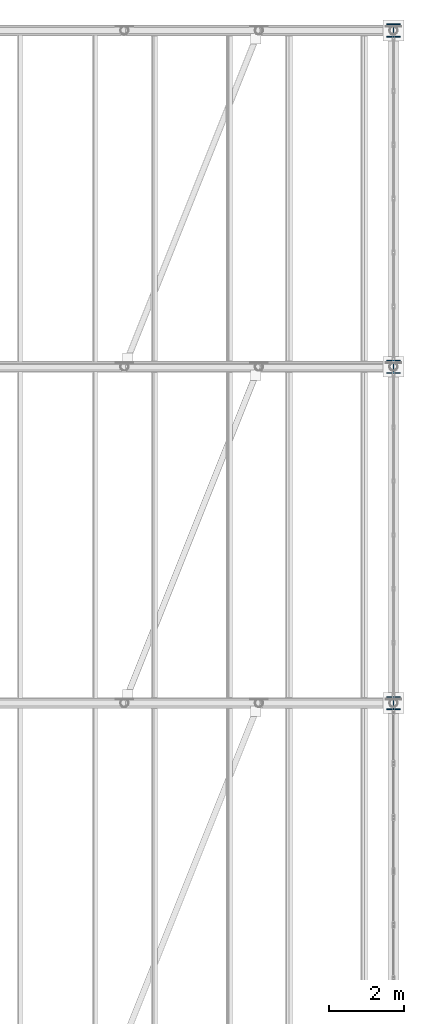
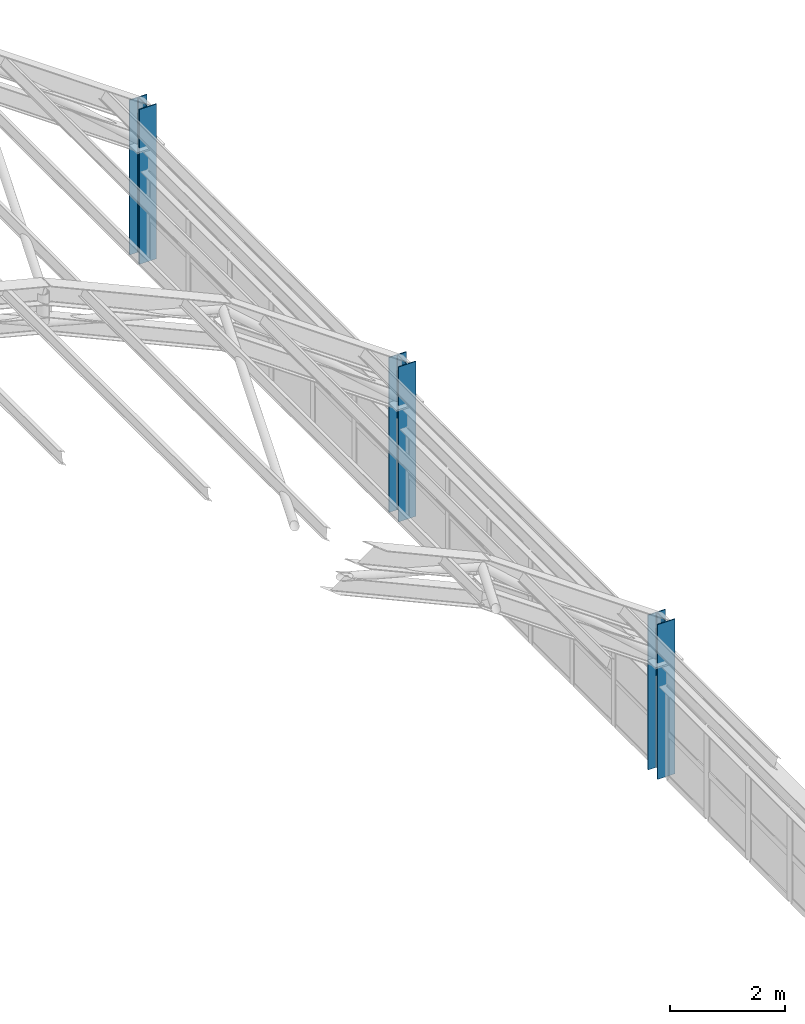
# One storey, part 6 of 121: 3 columns.
"""IFC4 building model written with IfcOpenShell, lengths in metres."""

from ifc_helpers import new_model, si_unit, direction, frame, origin, origin_2d, place, context, subcontext, project, spatial, i_section, extrude, material, material_profile, profile_set, type_object, element, save


model = new_model("IFC4")

# Units and contexts
model_context = context("Model", 3, precision=1e-05, world=origin(), true_north=direction((0.0, 1.0)))
body_context = subcontext(model_context, "Body", "Model", "MODEL_VIEW")
ifc_project = project(units=[si_unit("LENGTHUNIT", "METRE"), si_unit("AREAUNIT", "SQUARE_METRE"), si_unit("VOLUMEUNIT", "CUBIC_METRE"), si_unit("PLANEANGLEUNIT", "RADIAN"), si_unit("MASSUNIT", "GRAM", prefix="KILO")], contexts=[model_context])

# Site, building, storey
site_placement = place(None, origin())
site = spatial("IfcSite", under=ifc_project, at=site_placement, CompositionType="ELEMENT")
building_placement = place(site_placement, origin())
building = spatial("IfcBuilding", under=site, at=building_placement, Name="Canglan Escarpment Cableway Terminal", CompositionType="ELEMENT")
storey_placement = place(building_placement, frame((0.0, 0.0, 24.60009765625)))
storey = spatial("IfcBuildingStorey", under=building, at=storey_placement, Name="L05", CompositionType="ELEMENT", Elevation=24.60009765625)

# Columns
ifc_material = material(Name="Steel Q355C", Category="steel")
ifc_material_profile = material_profile(ifc_material, i_section(OverallWidth=0.35009765625, OverallDepth=0.35009765625, WebThickness=0.011962890625, FlangeThickness=0.01904296875, FilletRadius=0.02001953125, at=origin_2d()), Name="HW 350x350x12x19")
ifc_profile_set = profile_set([ifc_material_profile], Name="Steel Q355C")
column_type = type_object("IfcColumnType", Name="COL-HW350-Q355C", PredefinedType="COLUMN", material=ifc_profile_set)
for number, where, z_axis, x_axis, name in (
    (1, (166.39990234375, 106.0, 0.0), (0.0, 0.0, 1.0), (1.0, 0.0, 0.0), "Structural column C-09"),
    (2, (166.39990234375, 115.0, 0.0), (0.0, 0.0, 1.0), (1.0, 0.0, 0.0), "Structural column C-09"),
    (3, (166.39990234375, 124.0, 0.0), (0.0, 0.0, 1.0), (1.0, 0.0, 0.0), "Structural column C-09"),
):
    element("IfcColumn", number, at=place(storey_placement, frame(where, z_axis=z_axis, x_axis=x_axis)), inside=storey, type_object=column_type, Name=name, PredefinedType="COLUMN", context=body_context, shape_type="SweptSolid", body=[
        extrude(i_section(OverallWidth=0.35009765625, OverallDepth=0.35009765625, WebThickness=0.011962890625, FlangeThickness=0.01904296875, FilletRadius=0.02001953125, at=origin_2d()), origin(), (0.0, 0.0, 1.0), 3.282470703125),
    ])

save(model, "model.ifc")
